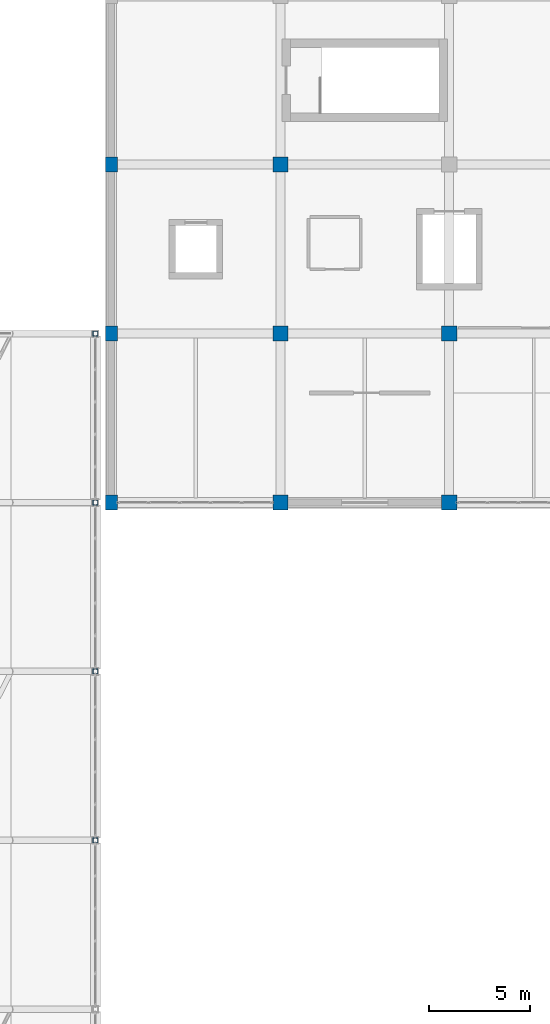
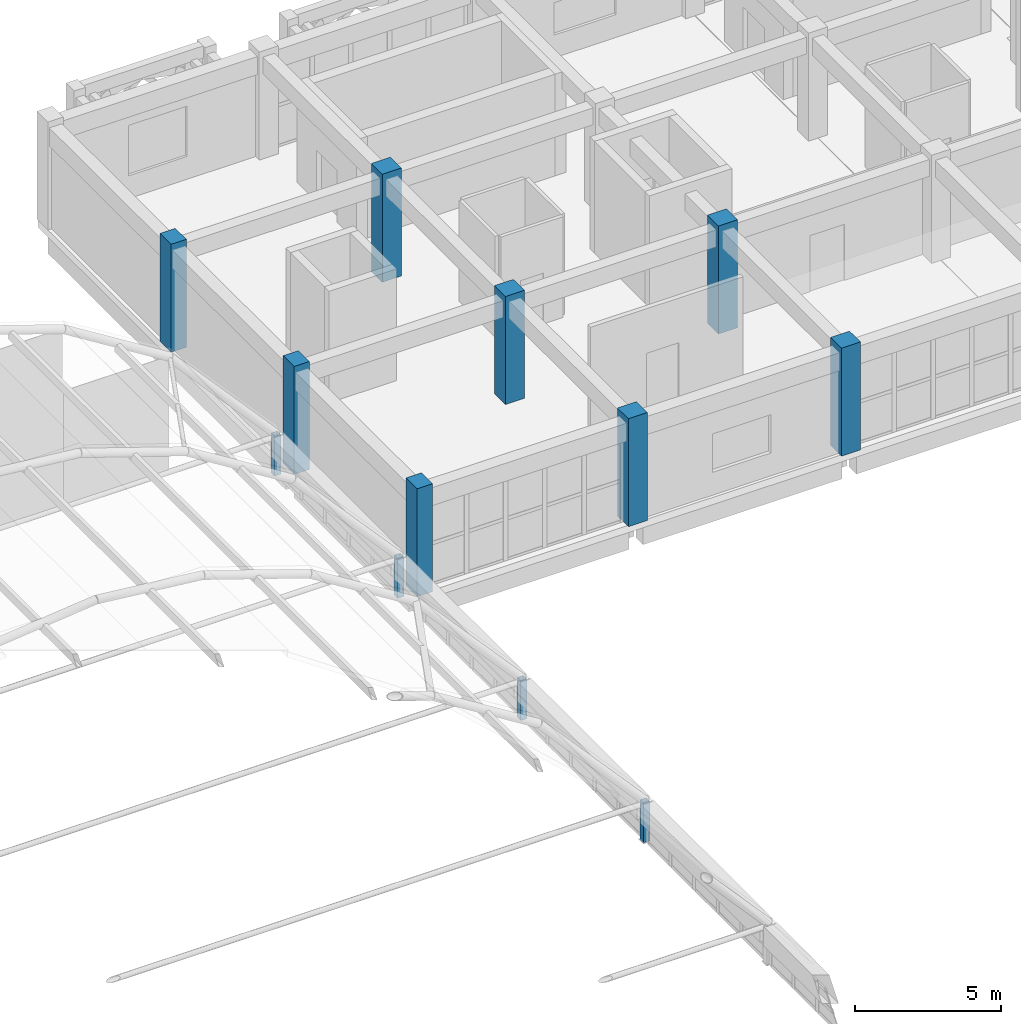
# One storey, part 7 of 114: 12 columns.
"""IFC4 building model written with IfcOpenShell, lengths in metres."""

from ifc_helpers import new_model, si_unit, direction, frame, origin, origin_2d, place, context, subcontext, project, spatial, rectangle, hollow_rectangle, extrude, material, material_profile, profile_set, type_object, element, save


model = new_model("IFC4")

# Units and contexts
model_context = context("Model", 3, precision=1e-05, world=origin(), true_north=direction((0.0, 1.0)))
body_context = subcontext(model_context, "Body", "Model", "MODEL_VIEW")
ifc_project = project(units=[si_unit("LENGTHUNIT", "METRE"), si_unit("AREAUNIT", "SQUARE_METRE"), si_unit("VOLUMEUNIT", "CUBIC_METRE"), si_unit("PLANEANGLEUNIT", "RADIAN"), si_unit("MASSUNIT", "GRAM", prefix="KILO")], contexts=[model_context])

# Site, building, storey
site_placement = place(None, origin())
site = spatial("IfcSite", under=ifc_project, at=site_placement, CompositionType="ELEMENT")
building_placement = place(site_placement, origin())
building = spatial("IfcBuilding", under=site, at=building_placement, Name="Xazarin Passage Department Store", CompositionType="ELEMENT")
storey_placement = place(building_placement, frame((0.0, 0.0, 14.39990234375)))
storey = spatial("IfcBuildingStorey", under=building, at=storey_placement, Name="L03", CompositionType="ELEMENT", Elevation=14.39990234375)

# Columns
ifc_material_1 = material(Name="Steel S355", Category="steel")
ifc_material_profile_1 = material_profile(ifc_material_1, hollow_rectangle(XDim=0.25, YDim=0.25, WallThickness=0.012451171875, at=origin_2d()), Name="SHS 250x250x12.5")
ifc_profile_set_1 = profile_set([ifc_material_profile_1], Name="Steel S355")
column_type_1 = type_object("IfcColumnType", Name="STR-COL-DRM250", PredefinedType="COLUMN", material=ifc_profile_set_1)
for number, where, z_axis, x_axis, name in (
    (1, (101.60009765625, 68.0, 0.0), (0.0, 0.0, 1.0), (1.0, 0.0, 0.0), "V2N Gridshell Drum Column E-3"),
    (2, (101.60009765625, 76.39990234375, 0.0), (0.0, 0.0, 1.0), (1.0, 0.0, 0.0), "V2N Gridshell Drum Column E-4"),
    (3, (101.60009765625, 84.800048828125, 0.0), (0.0, 0.0, 1.0), (1.0, 0.0, 0.0), "V2N Gridshell Drum Column E-5"),
    (4, (101.60009765625, 93.199951171875, 0.0), (0.0, 0.0, 1.0), (1.0, 0.0, 0.0), "V2N Gridshell Drum Column E-6"),
):
    element("IfcColumn", number, at=place(storey_placement, frame(where, z_axis=z_axis, x_axis=x_axis)), inside=storey, type_object=column_type_1, Name=name, PredefinedType="COLUMN", context=body_context, shape_type="SweptSolid", body=[
        extrude(hollow_rectangle(XDim=0.25, YDim=0.25, WallThickness=0.012451171875, at=origin_2d()), origin(), (0.0, 0.0, 1.0), 1.65185546875),
    ])
ifc_material_2 = material(Name="Concrete C40/50", Category="concrete")
ifc_material_profile_2 = material_profile(ifc_material_2, rectangle(XDim=0.75, YDim=0.75, at=origin_2d()), Name="RC 750x750")
ifc_profile_set_2 = profile_set([ifc_material_profile_2], Name="Concrete C40/50")
column_type_2 = type_object("IfcColumnType", Name="STR-COL-RC750", PredefinedType="COLUMN", material=ifc_profile_set_2)
for number, where, z_axis, x_axis, name in (
    (5, (110.800048828125, 84.800048828125, 0.0), (0.0, 0.0, 1.0), (1.0, 0.0, 0.0), "L03 Column 16/M"),
    (6, (119.199951171875, 84.800048828125, 0.0), (0.0, 0.0, 1.0), (1.0, 0.0, 0.0), "L03 Column 17/M"),
    (7, (110.800048828125, 93.199951171875, 0.0), (0.0, 0.0, 1.0), (1.0, 0.0, 0.0), "L03 Column 16/N"),
    (8, (119.199951171875, 93.199951171875, 0.0), (0.0, 0.0, 1.0), (1.0, 0.0, 0.0), "L03 Column 17/N"),
    (9, (110.800048828125, 101.60009765625, 0.0), (0.0, 0.0, 1.0), (1.0, 0.0, 0.0), "L03 Column 16/P"),
):
    element("IfcColumn", number, at=place(storey_placement, frame(where, z_axis=z_axis, x_axis=x_axis)), inside=storey, type_object=column_type_2, Name=name, PredefinedType="COLUMN", context=body_context, shape_type="SweptSolid", body=[
        extrude(rectangle(XDim=0.75, YDim=0.75, at=origin_2d()), origin(), (0.0, 0.0, 1.0), 4.5),
    ])
ifc_material_profile_3 = material_profile(ifc_material_2, rectangle(XDim=0.60009765625, YDim=0.75, at=origin_2d()), Name="RC 600x750")
ifc_profile_set_3 = profile_set([ifc_material_profile_3], Name="Concrete C40/50")
column_type_3 = type_object("IfcColumnType", Name="STR-COL-SJ750", PredefinedType="COLUMN", material=ifc_profile_set_3)
for number, where, z_axis, x_axis, name in (
    (10, (102.39990234375, 84.800048828125, 0.0), (0.0, 0.0, 1.0), (1.0, 0.0, 0.0), "L03 Column 15/M"),
    (11, (102.39990234375, 93.199951171875, 0.0), (0.0, 0.0, 1.0), (1.0, 0.0, 0.0), "L03 Column 15/N"),
    (12, (102.39990234375, 101.60009765625, 0.0), (0.0, 0.0, 1.0), (1.0, 0.0, 0.0), "L03 Column 15/P"),
):
    element("IfcColumn", number, at=place(storey_placement, frame(where, z_axis=z_axis, x_axis=x_axis)), inside=storey, type_object=column_type_3, Name=name, PredefinedType="COLUMN", context=body_context, shape_type="SweptSolid", body=[
        extrude(rectangle(XDim=0.60009765625, YDim=0.75, at=origin_2d()), origin(), (0.0, 0.0, 1.0), 4.5),
    ])

save(model, "model.ifc")
